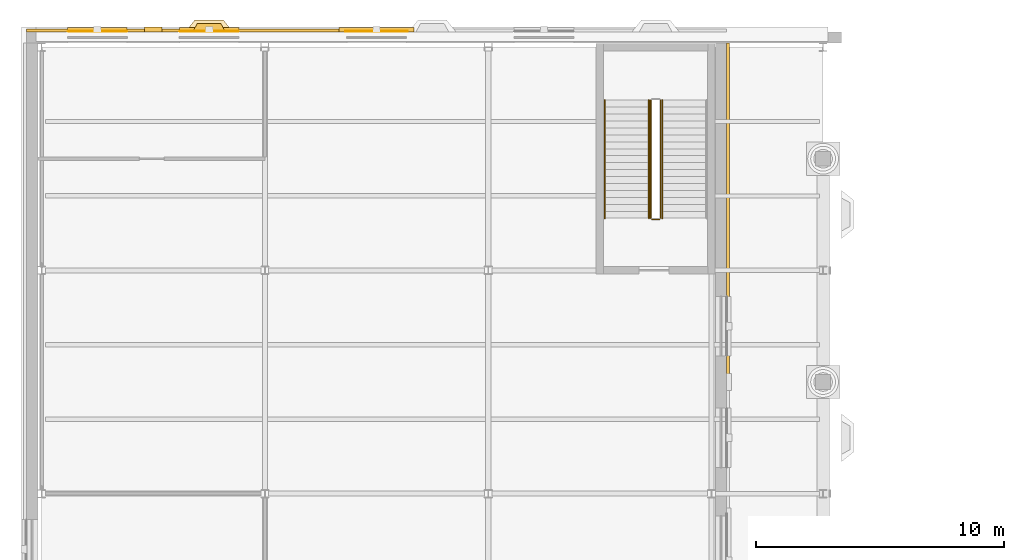
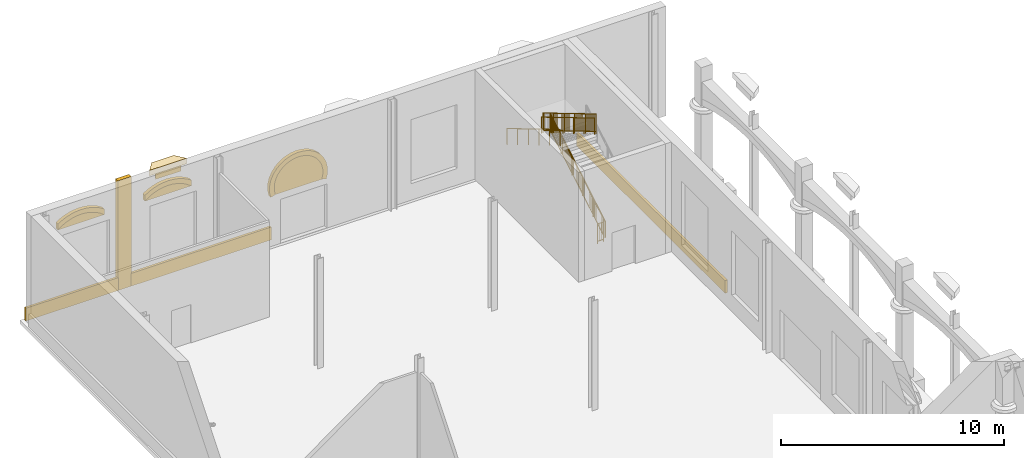
# One storey, part 98 of 106: 12 coverings, 6 railings.
"""IFC4 building model written with IfcOpenShell, lengths in metres."""

from ifc_helpers import new_model, si_unit, direction, frame, origin, origin_2d, place, context, subcontext, project, spatial, polyline, rectangle, circle, outline, extrude, material, layer, layer_set, type_object, element, save


model = new_model("IFC4")

# Units and contexts
model_context = context("Model", 3, precision=1e-05, world=origin(), true_north=direction((0.0, 1.0)))
body_context = subcontext(model_context, "Body", "Model", "MODEL_VIEW")
ifc_project = project(units=[si_unit("LENGTHUNIT", "METRE"), si_unit("AREAUNIT", "SQUARE_METRE"), si_unit("VOLUMEUNIT", "CUBIC_METRE"), si_unit("PLANEANGLEUNIT", "RADIAN"), si_unit("MASSUNIT", "GRAM", prefix="KILO")], contexts=[model_context])

# Site, building, storey
site_placement = place(None, origin())
site = spatial("IfcSite", under=ifc_project, at=site_placement, CompositionType="ELEMENT")
building_placement = place(site_placement, origin())
building = spatial("IfcBuilding", under=site, at=building_placement, Name="Hortulan Conservatory and Botanical Research Centre", CompositionType="ELEMENT")
storey_placement = place(building_placement, origin())
storey = spatial("IfcBuildingStorey", under=building, at=storey_placement, Name="L00", CompositionType="ELEMENT", Elevation=0.0)

# Coverings
ifc_material_1 = material(Name="Sandstone masonry (Hawkesbury yellow block)", Category="masonry")
ifc_layer_1 = layer(ifc_material_1, 0.1201171875)
ifc_layer_set_1 = layer_set([ifc_layer_1], Name="Rusticated Sandstone Base Course 700x120")
covering_type_1 = type_object("IfcCoveringType", Name="Rusticated Sandstone Base Course 700x120", PredefinedType="CLADDING", material=ifc_layer_set_1)
covering_1_placement = place(storey_placement, frame((1.787841796875, 72.67041015625, 0.0), z_axis=(0.0, 0.0, 1.0), x_axis=(1.0, 0.0, 0.0)))
element("IfcCovering", 1, at=covering_1_placement, inside=storey, type_object=covering_type_1, Name="String course", PredefinedType="CLADDING", context=body_context, shape_type="SweptSolid", body=[
    extrude(rectangle(XDim=4.784423828125, YDim=0.1201171875, at=origin_2d()), origin(), (0.0, 0.0, 1.0), 0.699951171875),
])
covering_2_placement = place(storey_placement, frame((8.4599609375, 72.67041015625, 0.0), z_axis=(0.0, 0.0, 1.0), x_axis=(1.0, 0.0, 0.0)))
element("IfcCovering", 2, at=covering_2_placement, inside=storey, type_object=covering_type_1, Name="String course", PredefinedType="CLADDING", context=body_context, shape_type="SweptSolid", body=[
    extrude(rectangle(XDim=7.280029296875, YDim=0.1201171875, at=origin_2d()), origin(), (0.0, 0.0, 1.0), 0.699951171875),
])
covering_3_placement = place(storey_placement, frame((27.66455078125, 65.4873046875, 0.0), z_axis=(0.0, 0.0, 1.0), x_axis=(0.0, -1.0, 0.0)))
element("IfcCovering", 3, at=covering_3_placement, inside=storey, type_object=covering_type_1, Name="String course", PredefinedType="CLADDING", context=body_context, shape_type="SweptSolid", body=[
    extrude(rectangle(XDim=13.33447265625, YDim=0.1201171875, at=origin_2d()), origin(), (0.0, 0.0, 1.0), 0.699951171875),
])
ifc_layer_2 = layer(ifc_material_1, 0.179931640625)
ifc_layer_set_2 = layer_set([ifc_layer_2], Name="Sandstone Arch Band 250")
covering_type_2 = type_object("IfcCoveringType", Name="Sandstone Arch Band 250", PredefinedType="CLADDING", material=ifc_layer_set_2)
for number, where, z_axis, x_axis, name in (
    (4, (1.050048828125, 72.700439453125, 4.39990234375), (0.0, 0.0, 1.0), (1.0, 0.0, 0.0), "Arched window head"),
    (5, (5.550048828125, 72.700439453125, 4.39990234375), (0.0, 0.0, 1.0), (1.0, 0.0, 0.0), "Arched window head"),
):
    element("IfcCovering", number, at=place(storey_placement, frame(where, z_axis=z_axis, x_axis=x_axis)), inside=storey, type_object=covering_type_2, Name=name, PredefinedType="CLADDING", context=body_context, shape_type="SweptSolid", body=[
        extrude(outline(polyline([(0.0, 0.0), (0.239990234375, 0.17724609375), (0.47998046875, 0.302001953125), (0.719970703125, 0.3857421875), (0.9599609375, 0.434326171875), (1.199951171875, 0.4501953125), (1.43994140625, 0.434326171875), (1.679931640625, 0.3857421875), (1.919921875, 0.302001953125), (2.159912109375, 0.17724609375), (2.39990234375, 0.0), (2.39990234375, 0.31787109375), (2.159912109375, 0.464599609375), (1.919921875, 0.5712890625), (1.679931640625, 0.643798828125), (1.43994140625, 0.686279296875), (1.199951171875, 0.7001953125), (0.9599609375, 0.686279296875), (0.719970703125, 0.643798828125), (0.47998046875, 0.5712890625), (0.239990234375, 0.464599609375), (0.0, 0.31787109375), (0.0, 0.0)])), frame((0.0, 0.08984375, 0.0), z_axis=(0.0, -1.0, 0.0), x_axis=(1.0, 0.0, 0.0)), (0.0, 0.0, 1.0), 0.179931640625),
    ])
ifc_layer_3 = layer(ifc_material_1, 0.179931640625)
ifc_layer_set_3 = layer_set([ifc_layer_3], Name="Sandstone Horseshoe Band 250")
covering_type_3 = type_object("IfcCoveringType", Name="Sandstone Horseshoe Band 250", PredefinedType="CLADDING", material=ifc_layer_set_3)
covering_4_placement = place(storey_placement, frame((11.98828125, 72.700439453125, 2.32275390625), z_axis=(0.0, 0.0, 1.0), x_axis=(1.0, 0.0, 0.0)))
element("IfcCovering", 6, at=covering_4_placement, inside=storey, type_object=covering_type_3, Name="Horseshoe entrance head", PredefinedType="CLADDING", context=body_context, shape_type="SweptSolid", body=[
    extrude(outline(polyline([(0.311767578125, 0.0771484375), (0.2568359375, 0.335205078125), (0.2568359375, 0.59912109375), (0.311767578125, 0.85693359375), (0.4189453125, 1.09814453125), (0.57421875, 1.3115234375), (0.77001953125, 1.488037109375), (0.99853515625, 1.619873046875), (1.24951171875, 1.701416015625), (1.51171875, 1.72900390625), (1.774169921875, 1.701416015625), (2.02490234375, 1.619873046875), (2.25341796875, 1.488037109375), (2.449462890625, 1.3115234375), (2.6044921875, 1.09814453125), (2.7119140625, 0.85693359375), (2.7666015625, 0.59912109375), (2.7666015625, 0.335205078125), (2.7119140625, 0.0771484375), (2.949462890625, 0.0), (3.01513671875, 0.30908203125), (3.01513671875, 0.625244140625), (2.949462890625, 0.934326171875), (2.821044921875, 1.22314453125), (2.63525390625, 1.478759765625), (2.400390625, 1.690185546875), (2.126708984375, 1.84814453125), (1.826171875, 1.94580078125), (1.51171875, 1.97900390625), (1.197509765625, 1.94580078125), (0.89697265625, 1.84814453125), (0.623291015625, 1.690185546875), (0.38818359375, 1.478759765625), (0.202392578125, 1.22314453125), (0.073974609375, 0.934326171875), (0.00830078125, 0.625244140625), (0.00830078125, 0.30908203125), (0.073974609375, 0.0), (0.311767578125, 0.0771484375)])), frame((0.0, 0.08984375, 0.0), z_axis=(0.0, -1.0, 0.0), x_axis=(1.0, 0.0, 0.0)), (0.0, 0.0, 1.0), 0.179931640625),
])
covering_type_4 = type_object("IfcCoveringType", Name="Sandstone Oriel Corbel", PredefinedType="CLADDING", material=ifc_material_1)
covering_5_placement = place(storey_placement, frame((0.0, 0.0, 5.699951171875)))
element("IfcCovering", 7, at=covering_5_placement, inside=storey, type_object=covering_type_4, Name="Oriel corbel", PredefinedType="CLADDING", context=body_context, shape_type="SweptSolid", body=[
    extrude(outline(polyline([(5.7900390625, 72.610595703125), (6.174072265625, 73.090576171875), (7.325927734375, 73.090576171875), (7.7099609375, 72.610595703125), (5.7900390625, 72.610595703125)])), origin(), (0.0, 0.0, 1.0), 0.300048828125),
])
covering_6_placement = place(storey_placement, frame((0.0, 0.0, 5.39990234375)))
element("IfcCovering", 8, at=covering_6_placement, inside=storey, type_object=covering_type_4, Name="Oriel corbel", PredefinedType="CLADDING", context=body_context, shape_type="SweptSolid", body=[
    extrude(outline(polyline([(6.090087890625, 72.610595703125), (6.271484375, 72.9404296875), (7.228515625, 72.9404296875), (7.409912109375, 72.610595703125), (6.090087890625, 72.610595703125)])), origin(), (0.0, 0.0, 1.0), 0.300048828125),
])
ifc_layer_4 = layer(ifc_material_1, 0.199951171875)
ifc_layer_set_4 = layer_set([ifc_layer_4], Name="Sandstone Pilaster 700x200")
covering_type_5 = type_object("IfcCoveringType", Name="Sandstone Pilaster 700x200", PredefinedType="CLADDING", material=ifc_layer_set_4)
covering_7_placement = place(storey_placement, frame((4.5, 72.71044921875, 0.0), z_axis=(0.0, 0.0, 1.0), x_axis=(1.0, 0.0, 0.0)))
element("IfcCovering", 9, at=covering_7_placement, inside=storey, type_object=covering_type_5, Name="Pier", PredefinedType="CLADDING", context=body_context, shape_type="SweptSolid", body=[
    extrude(rectangle(XDim=0.699951171875, YDim=0.199951171875, at=origin_2d()), origin(), (0.0, 0.0, 1.0), 6.0),
])

# Railings
ifc_material_2 = material(Name="Steel balustrade, bronze-charcoal paint", Category="steel")
railing_type_1 = type_object("IfcRailingType", Name="Stair Guard 1100", PredefinedType="GUARDRAIL", material=ifc_material_2)
railing_1_placement = place(storey_placement, frame((24.949951171875, 65.10009765625, 0.166748046875)))
element("IfcRailing", 10, at=railing_1_placement, inside=storey, type_object=railing_type_1, Name="Guard V2 L00 stair 1", PredefinedType="GUARDRAIL", context=body_context, shape_type="SweptSolid", body=[
    extrude(circle(Radius=0.02392578125, at=origin_2d()), frame((0.0, 0.0, 1.076171875), z_axis=(0.0, 0.859299802514, 0.511472237174), x_axis=(-1.0, 0.0, 0.0)), (0.0, 0.0, 1.0), 5.539306640625),
    extrude(circle(Radius=0.02392578125, at=origin_2d()), frame((0.0, 0.0, 0.1240234375), z_axis=(0.0, 0.859299802514, 0.511472237174), x_axis=(-1.0, 0.0, 0.0)), (0.0, 0.0, 1.0), 5.539306640625),
    extrude(circle(Radius=0.008056640625, at=origin_2d()), frame((0.0, 0.09326171875, 0.203857421875)), (0.0, 0.0, 1.0), 0.90380859375),
    extrude(circle(Radius=0.008056640625, at=origin_2d()), frame((0.0, 0.186767578125, 0.25927734375)), (0.0, 0.0, 1.0), 0.90380859375),
    extrude(circle(Radius=0.008056640625, at=origin_2d()), frame((0.0, 0.280029296875, 0.31494140625)), (0.0, 0.0, 1.0), 0.90380859375),
    extrude(circle(Radius=0.008056640625, at=origin_2d()), frame((0.0, 0.373291015625, 0.370361328125)), (0.0, 0.0, 1.0), 0.90380859375),
    extrude(circle(Radius=0.008056640625, at=origin_2d()), frame((0.0, 0.466552734375, 0.426025390625)), (0.0, 0.0, 1.0), 0.90380859375),
    extrude(circle(Radius=0.008056640625, at=origin_2d()), frame((0.0, 0.56005859375, 0.4814453125)), (0.0, 0.0, 1.0), 0.90380859375),
    extrude(circle(Radius=0.008056640625, at=origin_2d()), frame((0.0, 0.6533203125, 0.537109375)), (0.0, 0.0, 1.0), 0.90380859375),
    extrude(circle(Radius=0.008056640625, at=origin_2d()), frame((0.0, 0.74658203125, 0.592529296875)), (0.0, 0.0, 1.0), 0.90380859375),
    extrude(circle(Radius=0.008056640625, at=origin_2d()), frame((0.0, 0.840087890625, 0.648193359375)), (0.0, 0.0, 1.0), 0.90380859375),
    extrude(circle(Radius=0.008056640625, at=origin_2d()), frame((0.0, 0.933349609375, 0.70361328125)), (0.0, 0.0, 1.0), 0.90380859375),
    extrude(circle(Radius=0.008056640625, at=origin_2d()), frame((0.0, 1.026611328125, 0.75927734375)), (0.0, 0.0, 1.0), 0.90380859375),
    extrude(circle(Radius=0.008056640625, at=origin_2d()), frame((0.0, 1.1201171875, 0.81494140625)), (0.0, 0.0, 1.0), 0.90380859375),
    extrude(circle(Radius=0.008056640625, at=origin_2d()), frame((0.0, 1.21337890625, 0.870361328125)), (0.0, 0.0, 1.0), 0.90380859375),
    extrude(circle(Radius=0.008056640625, at=origin_2d()), frame((0.0, 1.306640625, 0.926025390625)), (0.0, 0.0, 1.0), 0.90380859375),
    extrude(circle(Radius=0.008056640625, at=origin_2d()), frame((0.0, 1.39990234375, 0.9814453125)), (0.0, 0.0, 1.0), 0.90380859375),
    extrude(circle(Radius=0.008056640625, at=origin_2d()), frame((0.0, 1.493408203125, 1.037109375)), (0.0, 0.0, 1.0), 0.90380859375),
    extrude(circle(Radius=0.008056640625, at=origin_2d()), frame((0.0, 1.586669921875, 1.092529296875)), (0.0, 0.0, 1.0), 0.90380859375),
    extrude(circle(Radius=0.008056640625, at=origin_2d()), frame((0.0, 1.679931640625, 1.148193359375)), (0.0, 0.0, 1.0), 0.90380859375),
    extrude(circle(Radius=0.008056640625, at=origin_2d()), frame((0.0, 1.7734375, 1.20361328125)), (0.0, 0.0, 1.0), 0.90380859375),
    extrude(circle(Radius=0.008056640625, at=origin_2d()), frame((0.0, 1.86669921875, 1.25927734375)), (0.0, 0.0, 1.0), 0.90380859375),
    extrude(circle(Radius=0.008056640625, at=origin_2d()), frame((0.0, 1.9599609375, 1.31494140625)), (0.0, 0.0, 1.0), 0.90380859375),
    extrude(circle(Radius=0.008056640625, at=origin_2d()), frame((0.0, 2.05322265625, 1.370361328125)), (0.0, 0.0, 1.0), 0.90380859375),
    extrude(circle(Radius=0.008056640625, at=origin_2d()), frame((0.0, 2.146728515625, 1.426025390625)), (0.0, 0.0, 1.0), 0.90380859375),
    extrude(circle(Radius=0.008056640625, at=origin_2d()), frame((0.0, 2.239990234375, 1.4814453125)), (0.0, 0.0, 1.0), 0.90380859375),
    extrude(circle(Radius=0.008056640625, at=origin_2d()), frame((0.0, 2.333251953125, 1.537109375)), (0.0, 0.0, 1.0), 0.90380859375),
    extrude(circle(Radius=0.008056640625, at=origin_2d()), frame((0.0, 2.4267578125, 1.592529296875)), (0.0, 0.0, 1.0), 0.90380859375),
    extrude(circle(Radius=0.008056640625, at=origin_2d()), frame((0.0, 2.52001953125, 1.648193359375)), (0.0, 0.0, 1.0), 0.90380859375),
    extrude(circle(Radius=0.008056640625, at=origin_2d()), frame((0.0, 2.61328125, 1.70361328125)), (0.0, 0.0, 1.0), 0.90380859375),
    extrude(circle(Radius=0.008056640625, at=origin_2d()), frame((0.0, 2.706787109375, 1.75927734375)), (0.0, 0.0, 1.0), 0.90380859375),
    extrude(circle(Radius=0.008056640625, at=origin_2d()), frame((0.0, 2.800048828125, 1.814697265625)), (0.0, 0.0, 1.0), 0.90380859375),
    extrude(circle(Radius=0.008056640625, at=origin_2d()), frame((0.0, 2.893310546875, 1.870361328125)), (0.0, 0.0, 1.0), 0.90380859375),
    extrude(circle(Radius=0.008056640625, at=origin_2d()), frame((0.0, 2.986572265625, 1.926025390625)), (0.0, 0.0, 1.0), 0.90380859375),
    extrude(circle(Radius=0.008056640625, at=origin_2d()), frame((0.0, 3.080078125, 1.9814453125)), (0.0, 0.0, 1.0), 0.90380859375),
    extrude(circle(Radius=0.008056640625, at=origin_2d()), frame((0.0, 3.17333984375, 2.037109375)), (0.0, 0.0, 1.0), 0.90380859375),
    extrude(circle(Radius=0.008056640625, at=origin_2d()), frame((0.0, 3.2666015625, 2.092529296875)), (0.0, 0.0, 1.0), 0.90380859375),
    extrude(circle(Radius=0.008056640625, at=origin_2d()), frame((0.0, 3.360107421875, 2.148193359375)), (0.0, 0.0, 1.0), 0.90380859375),
    extrude(circle(Radius=0.008056640625, at=origin_2d()), frame((0.0, 3.453369140625, 2.20361328125)), (0.0, 0.0, 1.0), 0.90380859375),
    extrude(circle(Radius=0.008056640625, at=origin_2d()), frame((0.0, 3.546630859375, 2.25927734375)), (0.0, 0.0, 1.0), 0.90380859375),
    extrude(circle(Radius=0.008056640625, at=origin_2d()), frame((0.0, 3.639892578125, 2.314697265625)), (0.0, 0.0, 1.0), 0.90380859375),
    extrude(circle(Radius=0.008056640625, at=origin_2d()), frame((0.0, 3.7333984375, 2.370361328125)), (0.0, 0.0, 1.0), 0.90380859375),
    extrude(circle(Radius=0.008056640625, at=origin_2d()), frame((0.0, 3.82666015625, 2.426025390625)), (0.0, 0.0, 1.0), 0.90380859375),
    extrude(circle(Radius=0.008056640625, at=origin_2d()), frame((0.0, 3.919921875, 2.4814453125)), (0.0, 0.0, 1.0), 0.90380859375),
    extrude(circle(Radius=0.008056640625, at=origin_2d()), frame((0.0, 4.013427734375, 2.537109375)), (0.0, 0.0, 1.0), 0.90380859375),
    extrude(circle(Radius=0.008056640625, at=origin_2d()), frame((0.0, 4.106689453125, 2.592529296875)), (0.0, 0.0, 1.0), 0.90380859375),
    extrude(circle(Radius=0.008056640625, at=origin_2d()), frame((0.0, 4.199951171875, 2.648193359375)), (0.0, 0.0, 1.0), 0.90380859375),
    extrude(circle(Radius=0.008056640625, at=origin_2d()), frame((0.0, 4.29345703125, 2.70361328125)), (0.0, 0.0, 1.0), 0.90380859375),
    extrude(circle(Radius=0.008056640625, at=origin_2d()), frame((0.0, 4.38671875, 2.75927734375)), (0.0, 0.0, 1.0), 0.90380859375),
    extrude(circle(Radius=0.008056640625, at=origin_2d()), frame((0.0, 4.47998046875, 2.814697265625)), (0.0, 0.0, 1.0), 0.90380859375),
    extrude(circle(Radius=0.008056640625, at=origin_2d()), frame((0.0, 4.5732421875, 2.870361328125)), (0.0, 0.0, 1.0), 0.90380859375),
    extrude(circle(Radius=0.008056640625, at=origin_2d()), frame((0.0, 4.666748046875, 2.92578125)), (0.0, 0.0, 1.0), 0.90380859375),
    extrude(circle(Radius=0.02099609375, at=origin_2d()), origin(), (0.0, 0.0, 1.0), 1.052001953125),
    extrude(circle(Radius=0.02099609375, at=origin_2d()), frame((0.0, 0.951904296875, 0.566650390625)), (0.0, 0.0, 1.0), 1.052001953125),
    extrude(circle(Radius=0.02099609375, at=origin_2d()), frame((0.0, 1.904052734375, 1.13330078125)), (0.0, 0.0, 1.0), 1.052001953125),
    extrude(circle(Radius=0.02099609375, at=origin_2d()), frame((0.0, 2.85595703125, 1.699951171875)), (0.0, 0.0, 1.0), 1.052001953125),
    extrude(circle(Radius=0.02099609375, at=origin_2d()), frame((0.0, 3.80810546875, 2.2666015625)), (0.0, 0.0, 1.0), 1.052001953125),
    extrude(circle(Radius=0.02099609375, at=origin_2d()), frame((0.0, 4.760009765625, 2.833251953125)), (0.0, 0.0, 1.0), 1.052001953125),
])
railing_2_placement = place(storey_placement, frame((24.550048828125, 69.860107421875, 3.166748046875)))
element("IfcRailing", 11, at=railing_2_placement, inside=storey, type_object=railing_type_1, Name="Guard V2 L00 stair 3", PredefinedType="GUARDRAIL", context=body_context, shape_type="SweptSolid", body=[
    extrude(circle(Radius=0.02392578125, at=origin_2d()), frame((0.0, 0.0, 1.076171875), z_axis=(0.0, -0.859299802514, 0.511472237174), x_axis=(1.0, 0.0, 0.0)), (0.0, 0.0, 1.0), 5.539306640625),
    extrude(circle(Radius=0.02392578125, at=origin_2d()), frame((0.0, 0.0, 0.1240234375), z_axis=(0.0, -0.859299802514, 0.511472237174), x_axis=(1.0, 0.0, 0.0)), (0.0, 0.0, 1.0), 5.539306640625),
    extrude(circle(Radius=0.008056640625, at=origin_2d()), frame((0.0, -0.09326171875, 0.203857421875)), (0.0, 0.0, 1.0), 0.90380859375),
    extrude(circle(Radius=0.008056640625, at=origin_2d()), frame((0.0, -0.186767578125, 0.25927734375)), (0.0, 0.0, 1.0), 0.90380859375),
    extrude(circle(Radius=0.008056640625, at=origin_2d()), frame((0.0, -0.280029296875, 0.31494140625)), (0.0, 0.0, 1.0), 0.90380859375),
    extrude(circle(Radius=0.008056640625, at=origin_2d()), frame((0.0, -0.373291015625, 0.370361328125)), (0.0, 0.0, 1.0), 0.90380859375),
    extrude(circle(Radius=0.008056640625, at=origin_2d()), frame((0.0, -0.466552734375, 0.426025390625)), (0.0, 0.0, 1.0), 0.90380859375),
    extrude(circle(Radius=0.008056640625, at=origin_2d()), frame((0.0, -0.56005859375, 0.4814453125)), (0.0, 0.0, 1.0), 0.90380859375),
    extrude(circle(Radius=0.008056640625, at=origin_2d()), frame((0.0, -0.6533203125, 0.537109375)), (0.0, 0.0, 1.0), 0.90380859375),
    extrude(circle(Radius=0.008056640625, at=origin_2d()), frame((0.0, -0.74658203125, 0.592529296875)), (0.0, 0.0, 1.0), 0.90380859375),
    extrude(circle(Radius=0.008056640625, at=origin_2d()), frame((0.0, -0.840087890625, 0.648193359375)), (0.0, 0.0, 1.0), 0.90380859375),
    extrude(circle(Radius=0.008056640625, at=origin_2d()), frame((0.0, -0.933349609375, 0.70361328125)), (0.0, 0.0, 1.0), 0.90380859375),
    extrude(circle(Radius=0.008056640625, at=origin_2d()), frame((0.0, -1.026611328125, 0.75927734375)), (0.0, 0.0, 1.0), 0.90380859375),
    extrude(circle(Radius=0.008056640625, at=origin_2d()), frame((0.0, -1.1201171875, 0.81494140625)), (0.0, 0.0, 1.0), 0.90380859375),
    extrude(circle(Radius=0.008056640625, at=origin_2d()), frame((0.0, -1.21337890625, 0.870361328125)), (0.0, 0.0, 1.0), 0.90380859375),
    extrude(circle(Radius=0.008056640625, at=origin_2d()), frame((0.0, -1.306640625, 0.926025390625)), (0.0, 0.0, 1.0), 0.90380859375),
    extrude(circle(Radius=0.008056640625, at=origin_2d()), frame((0.0, -1.39990234375, 0.9814453125)), (0.0, 0.0, 1.0), 0.90380859375),
    extrude(circle(Radius=0.008056640625, at=origin_2d()), frame((0.0, -1.493408203125, 1.037109375)), (0.0, 0.0, 1.0), 0.90380859375),
    extrude(circle(Radius=0.008056640625, at=origin_2d()), frame((0.0, -1.586669921875, 1.092529296875)), (0.0, 0.0, 1.0), 0.90380859375),
    extrude(circle(Radius=0.008056640625, at=origin_2d()), frame((0.0, -1.679931640625, 1.148193359375)), (0.0, 0.0, 1.0), 0.90380859375),
    extrude(circle(Radius=0.008056640625, at=origin_2d()), frame((0.0, -1.7734375, 1.20361328125)), (0.0, 0.0, 1.0), 0.90380859375),
    extrude(circle(Radius=0.008056640625, at=origin_2d()), frame((0.0, -1.86669921875, 1.25927734375)), (0.0, 0.0, 1.0), 0.90380859375),
    extrude(circle(Radius=0.008056640625, at=origin_2d()), frame((0.0, -1.9599609375, 1.31494140625)), (0.0, 0.0, 1.0), 0.90380859375),
    extrude(circle(Radius=0.008056640625, at=origin_2d()), frame((0.0, -2.05322265625, 1.370361328125)), (0.0, 0.0, 1.0), 0.90380859375),
    extrude(circle(Radius=0.008056640625, at=origin_2d()), frame((0.0, -2.146728515625, 1.426025390625)), (0.0, 0.0, 1.0), 0.90380859375),
    extrude(circle(Radius=0.008056640625, at=origin_2d()), frame((0.0, -2.239990234375, 1.4814453125)), (0.0, 0.0, 1.0), 0.90380859375),
    extrude(circle(Radius=0.008056640625, at=origin_2d()), frame((0.0, -2.333251953125, 1.537109375)), (0.0, 0.0, 1.0), 0.90380859375),
    extrude(circle(Radius=0.008056640625, at=origin_2d()), frame((0.0, -2.4267578125, 1.592529296875)), (0.0, 0.0, 1.0), 0.90380859375),
    extrude(circle(Radius=0.008056640625, at=origin_2d()), frame((0.0, -2.52001953125, 1.648193359375)), (0.0, 0.0, 1.0), 0.90380859375),
    extrude(circle(Radius=0.008056640625, at=origin_2d()), frame((0.0, -2.61328125, 1.70361328125)), (0.0, 0.0, 1.0), 0.90380859375),
    extrude(circle(Radius=0.008056640625, at=origin_2d()), frame((0.0, -2.706787109375, 1.75927734375)), (0.0, 0.0, 1.0), 0.90380859375),
    extrude(circle(Radius=0.008056640625, at=origin_2d()), frame((0.0, -2.800048828125, 1.814697265625)), (0.0, 0.0, 1.0), 0.90380859375),
    extrude(circle(Radius=0.008056640625, at=origin_2d()), frame((0.0, -2.893310546875, 1.870361328125)), (0.0, 0.0, 1.0), 0.90380859375),
    extrude(circle(Radius=0.008056640625, at=origin_2d()), frame((0.0, -2.986572265625, 1.926025390625)), (0.0, 0.0, 1.0), 0.90380859375),
    extrude(circle(Radius=0.008056640625, at=origin_2d()), frame((0.0, -3.080078125, 1.9814453125)), (0.0, 0.0, 1.0), 0.90380859375),
    extrude(circle(Radius=0.008056640625, at=origin_2d()), frame((0.0, -3.17333984375, 2.037109375)), (0.0, 0.0, 1.0), 0.90380859375),
    extrude(circle(Radius=0.008056640625, at=origin_2d()), frame((0.0, -3.2666015625, 2.092529296875)), (0.0, 0.0, 1.0), 0.90380859375),
    extrude(circle(Radius=0.008056640625, at=origin_2d()), frame((0.0, -3.360107421875, 2.148193359375)), (0.0, 0.0, 1.0), 0.90380859375),
    extrude(circle(Radius=0.008056640625, at=origin_2d()), frame((0.0, -3.453369140625, 2.20361328125)), (0.0, 0.0, 1.0), 0.90380859375),
    extrude(circle(Radius=0.008056640625, at=origin_2d()), frame((0.0, -3.546630859375, 2.25927734375)), (0.0, 0.0, 1.0), 0.90380859375),
    extrude(circle(Radius=0.008056640625, at=origin_2d()), frame((0.0, -3.639892578125, 2.314697265625)), (0.0, 0.0, 1.0), 0.90380859375),
    extrude(circle(Radius=0.008056640625, at=origin_2d()), frame((0.0, -3.7333984375, 2.370361328125)), (0.0, 0.0, 1.0), 0.90380859375),
    extrude(circle(Radius=0.008056640625, at=origin_2d()), frame((0.0, -3.82666015625, 2.426025390625)), (0.0, 0.0, 1.0), 0.90380859375),
    extrude(circle(Radius=0.008056640625, at=origin_2d()), frame((0.0, -3.919921875, 2.4814453125)), (0.0, 0.0, 1.0), 0.90380859375),
    extrude(circle(Radius=0.008056640625, at=origin_2d()), frame((0.0, -4.013427734375, 2.537109375)), (0.0, 0.0, 1.0), 0.90380859375),
    extrude(circle(Radius=0.008056640625, at=origin_2d()), frame((0.0, -4.106689453125, 2.592529296875)), (0.0, 0.0, 1.0), 0.90380859375),
    extrude(circle(Radius=0.008056640625, at=origin_2d()), frame((0.0, -4.199951171875, 2.648193359375)), (0.0, 0.0, 1.0), 0.90380859375),
    extrude(circle(Radius=0.008056640625, at=origin_2d()), frame((0.0, -4.29345703125, 2.70361328125)), (0.0, 0.0, 1.0), 0.90380859375),
    extrude(circle(Radius=0.008056640625, at=origin_2d()), frame((0.0, -4.38671875, 2.75927734375)), (0.0, 0.0, 1.0), 0.90380859375),
    extrude(circle(Radius=0.008056640625, at=origin_2d()), frame((0.0, -4.47998046875, 2.814697265625)), (0.0, 0.0, 1.0), 0.90380859375),
    extrude(circle(Radius=0.008056640625, at=origin_2d()), frame((0.0, -4.5732421875, 2.870361328125)), (0.0, 0.0, 1.0), 0.90380859375),
    extrude(circle(Radius=0.008056640625, at=origin_2d()), frame((0.0, -4.666748046875, 2.92578125)), (0.0, 0.0, 1.0), 0.90380859375),
    extrude(circle(Radius=0.02099609375, at=origin_2d()), origin(), (0.0, 0.0, 1.0), 1.052001953125),
    extrude(circle(Radius=0.02099609375, at=origin_2d()), frame((0.0, -0.951904296875, 0.566650390625)), (0.0, 0.0, 1.0), 1.052001953125),
    extrude(circle(Radius=0.02099609375, at=origin_2d()), frame((0.0, -1.904052734375, 1.13330078125)), (0.0, 0.0, 1.0), 1.052001953125),
    extrude(circle(Radius=0.02099609375, at=origin_2d()), frame((0.0, -2.85595703125, 1.699951171875)), (0.0, 0.0, 1.0), 1.052001953125),
    extrude(circle(Radius=0.02099609375, at=origin_2d()), frame((0.0, -3.80810546875, 2.2666015625)), (0.0, 0.0, 1.0), 1.052001953125),
    extrude(circle(Radius=0.02099609375, at=origin_2d()), frame((0.0, -4.760009765625, 2.833251953125)), (0.0, 0.0, 1.0), 1.052001953125),
])
railing_3_placement = place(storey_placement, frame((24.89990234375, 65.050048828125, 0.0)))
element("IfcRailing", 12, at=railing_3_placement, inside=storey, type_object=railing_type_1, Name="Guard V2 L00 stair 4", PredefinedType="GUARDRAIL", context=body_context, shape_type="SweptSolid", body=[
    extrude(circle(Radius=0.02392578125, at=origin_2d()), frame((0.0, 0.0, 1.076171875), z_axis=(-1.0, 0.0, 0.0), x_axis=(0.0, -1.0, 0.0)), (0.0, 0.0, 1.0), 0.2998046875),
    extrude(circle(Radius=0.02392578125, at=origin_2d()), frame((0.0, 0.0, 0.1240234375), z_axis=(-1.0, 0.0, 0.0), x_axis=(0.0, -1.0, 0.0)), (0.0, 0.0, 1.0), 0.2998046875),
    extrude(circle(Radius=0.008056640625, at=origin_2d()), frame((-0.099853515625, 0.0, 0.148193359375)), (0.0, 0.0, 1.0), 0.90380859375),
    extrude(circle(Radius=0.008056640625, at=origin_2d()), frame((-0.199951171875, 0.0, 0.148193359375)), (0.0, 0.0, 1.0), 0.90380859375),
    extrude(circle(Radius=0.02099609375, at=origin_2d()), origin(), (0.0, 0.0, 1.0), 1.052001953125),
    extrude(circle(Radius=0.02099609375, at=origin_2d()), frame((-0.2998046875, 0.0, 0.0)), (0.0, 0.0, 1.0), 1.052001953125),
])
ifc_material_3 = material(Name="Bronze handrail, polished", Category="metal")
railing_type_2 = type_object("IfcRailingType", Name="Stair Handrail 900", PredefinedType="HANDRAIL", material=ifc_material_3)
railing_4_placement = place(storey_placement, frame((22.699951171875, 69.860107421875, 3.166748046875)))
element("IfcRailing", 13, at=railing_4_placement, inside=storey, type_object=railing_type_2, Name="Handrail V2 L00 stair 2", PredefinedType="HANDRAIL", context=body_context, shape_type="SweptSolid", body=[
    extrude(circle(Radius=0.02392578125, at=origin_2d()), frame((0.0, 0.0, 0.8759765625), z_axis=(0.0, -0.859299802514, 0.511472237174), x_axis=(1.0, 0.0, 0.0)), (0.0, 0.0, 1.0), 5.539306640625),
    extrude(circle(Radius=0.02099609375, at=origin_2d()), origin(), (0.0, 0.0, 1.0), 0.851806640625),
    extrude(circle(Radius=0.02099609375, at=origin_2d()), frame((0.0, -0.951904296875, 0.566650390625)), (0.0, 0.0, 1.0), 0.851806640625),
    extrude(circle(Radius=0.02099609375, at=origin_2d()), frame((0.0, -1.904052734375, 1.13330078125)), (0.0, 0.0, 1.0), 0.851806640625),
    extrude(circle(Radius=0.02099609375, at=origin_2d()), frame((0.0, -2.85595703125, 1.699951171875)), (0.0, 0.0, 1.0), 0.851806640625),
    extrude(circle(Radius=0.02099609375, at=origin_2d()), frame((0.0, -3.80810546875, 2.2666015625)), (0.0, 0.0, 1.0), 0.851806640625),
    extrude(circle(Radius=0.02099609375, at=origin_2d()), frame((0.0, -4.760009765625, 2.833251953125)), (0.0, 0.0, 1.0), 0.851806640625),
])
railing_5_placement = place(storey_placement, frame((25.02001953125, 65.10009765625, 0.166748046875)))
element("IfcRailing", 14, at=railing_5_placement, inside=storey, type_object=railing_type_2, Name="Handrail V2 L00 stair 3", PredefinedType="HANDRAIL", context=body_context, shape_type="SweptSolid", body=[
    extrude(circle(Radius=0.02392578125, at=origin_2d()), frame((0.0, 0.0, 0.8759765625), z_axis=(0.0, 0.859299802514, 0.511472237174), x_axis=(-1.0, 0.0, 0.0)), (0.0, 0.0, 1.0), 5.539306640625),
    extrude(circle(Radius=0.02099609375, at=origin_2d()), origin(), (0.0, 0.0, 1.0), 0.851806640625),
    extrude(circle(Radius=0.02099609375, at=origin_2d()), frame((0.0, 0.951904296875, 0.566650390625)), (0.0, 0.0, 1.0), 0.851806640625),
    extrude(circle(Radius=0.02099609375, at=origin_2d()), frame((0.0, 1.904052734375, 1.13330078125)), (0.0, 0.0, 1.0), 0.851806640625),
    extrude(circle(Radius=0.02099609375, at=origin_2d()), frame((0.0, 2.85595703125, 1.699951171875)), (0.0, 0.0, 1.0), 0.851806640625),
    extrude(circle(Radius=0.02099609375, at=origin_2d()), frame((0.0, 3.80810546875, 2.2666015625)), (0.0, 0.0, 1.0), 0.851806640625),
    extrude(circle(Radius=0.02099609375, at=origin_2d()), frame((0.0, 4.760009765625, 2.833251953125)), (0.0, 0.0, 1.0), 0.851806640625),
])
railing_6_placement = place(storey_placement, frame((24.47998046875, 69.860107421875, 3.166748046875)))
element("IfcRailing", 15, at=railing_6_placement, inside=storey, type_object=railing_type_2, Name="Handrail V2 L00 stair 4", PredefinedType="HANDRAIL", context=body_context, shape_type="SweptSolid", body=[
    extrude(circle(Radius=0.02392578125, at=origin_2d()), frame((0.0, 0.0, 0.8759765625), z_axis=(0.0, -0.859299802514, 0.511472237174), x_axis=(1.0, 0.0, 0.0)), (0.0, 0.0, 1.0), 5.539306640625),
    extrude(circle(Radius=0.02099609375, at=origin_2d()), origin(), (0.0, 0.0, 1.0), 0.851806640625),
    extrude(circle(Radius=0.02099609375, at=origin_2d()), frame((0.0, -0.951904296875, 0.566650390625)), (0.0, 0.0, 1.0), 0.851806640625),
    extrude(circle(Radius=0.02099609375, at=origin_2d()), frame((0.0, -1.904052734375, 1.13330078125)), (0.0, 0.0, 1.0), 0.851806640625),
    extrude(circle(Radius=0.02099609375, at=origin_2d()), frame((0.0, -2.85595703125, 1.699951171875)), (0.0, 0.0, 1.0), 0.851806640625),
    extrude(circle(Radius=0.02099609375, at=origin_2d()), frame((0.0, -3.80810546875, 2.2666015625)), (0.0, 0.0, 1.0), 0.851806640625),
    extrude(circle(Radius=0.02099609375, at=origin_2d()), frame((0.0, -4.760009765625, 2.833251953125)), (0.0, 0.0, 1.0), 0.851806640625),
])

# Coverings
ifc_material_4 = material(Name="Faience cladding, harbour teal glaze (non-combustible)", Category="ceramic")
ifc_layer_5 = layer(ifc_material_4, 0.0400390625)
ifc_layer_set_5 = layer_set([ifc_layer_5], Name="Teal Faience Tympanum 40")
covering_type_6 = type_object("IfcCoveringType", Name="Teal Faience Tympanum 40", PredefinedType="CLADDING", material=ifc_layer_set_5)
for number, where, z_axis, x_axis, name in (
    (16, (1.050048828125, 72.630615234375, 4.39990234375), (0.0, 0.0, 1.0), (1.0, 0.0, 0.0), "Faience tympanum"),
    (17, (5.550048828125, 72.630615234375, 4.39990234375), (0.0, 0.0, 1.0), (1.0, 0.0, 0.0), "Faience tympanum"),
):
    element("IfcCovering", number, at=place(storey_placement, frame(where, z_axis=z_axis, x_axis=x_axis)), inside=storey, type_object=covering_type_6, Name=name, PredefinedType="CLADDING", context=body_context, shape_type="SweptSolid", body=[
        extrude(outline(polyline([(0.0, 0.0), (0.239990234375, 0.17724609375), (0.47998046875, 0.302001953125), (0.719970703125, 0.3857421875), (0.9599609375, 0.434326171875), (1.199951171875, 0.4501953125), (1.43994140625, 0.434326171875), (1.679931640625, 0.3857421875), (1.919921875, 0.302001953125), (2.159912109375, 0.17724609375), (2.39990234375, 0.0), (2.39990234375, 0.0), (0.0, 0.0), (0.0, 0.0)])), frame((0.0, 0.02001953125, 0.0), z_axis=(0.0, -1.0, 0.0), x_axis=(1.0, 0.0, 0.0)), (0.0, 0.0, 1.0), 0.0400390625),
    ])
covering_8_placement = place(storey_placement, frame((11.98828125, 72.630615234375, 2.39990234375), z_axis=(0.0, 0.0, 1.0), x_axis=(1.0, 0.0, 0.0)))
element("IfcCovering", 18, at=covering_8_placement, inside=storey, type_object=covering_type_6, Name="Faience tympanum", PredefinedType="CLADDING", context=body_context, shape_type="SweptSolid", body=[
    extrude(outline(polyline([(0.311767578125, 0.0), (0.2568359375, 0.258056640625), (0.2568359375, 0.52197265625), (0.311767578125, 0.77978515625), (0.4189453125, 1.02099609375), (0.57421875, 1.234375), (0.77001953125, 1.410888671875), (0.99853515625, 1.542724609375), (1.24951171875, 1.624267578125), (1.51171875, 1.65185546875), (1.774169921875, 1.624267578125), (2.02490234375, 1.542724609375), (2.25341796875, 1.410888671875), (2.449462890625, 1.234375), (2.6044921875, 1.02099609375), (2.7119140625, 0.77978515625), (2.7666015625, 0.52197265625), (2.7666015625, 0.258056640625), (2.7119140625, 0.0), (2.7119140625, 0.0), (0.311767578125, 0.0), (0.311767578125, 0.0)])), frame((0.0, 0.02001953125, 0.0), z_axis=(0.0, -1.0, 0.0), x_axis=(1.0, 0.0, 0.0)), (0.0, 0.0, 1.0), 0.0400390625),
])

save(model, "model.ifc")
